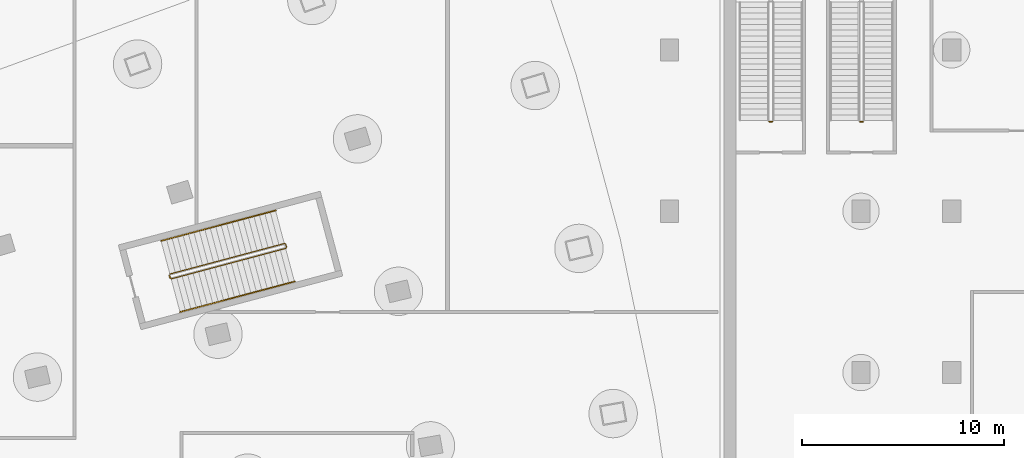
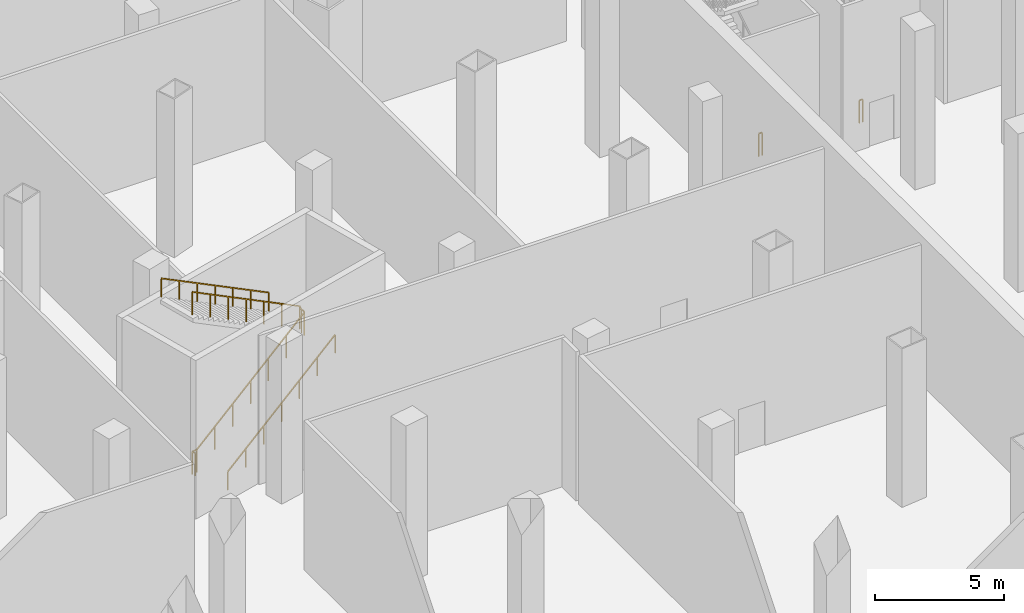
# One storey, part 17 of 19: 5 railings.
"""IFC4 building model written with IfcOpenShell, lengths in metres."""

from ifc_helpers import new_model, si_unit, direction, frame, origin, origin_2d, place, context, subcontext, project, spatial, rectangle, extrude, material, type_object, element, save


model = new_model("IFC4")

# Units and contexts
model_context = context("Model", 3, precision=1e-05, world=origin(), true_north=direction((0.0, 1.0)))
body_context = subcontext(model_context, "Body", "Model", "MODEL_VIEW")
ifc_project = project(units=[si_unit("LENGTHUNIT", "METRE"), si_unit("AREAUNIT", "SQUARE_METRE"), si_unit("VOLUMEUNIT", "CUBIC_METRE"), si_unit("PLANEANGLEUNIT", "RADIAN"), si_unit("MASSUNIT", "GRAM", prefix="KILO")], contexts=[model_context])

# Site, building, storey
site_placement = place(None, origin())
site = spatial("IfcSite", under=ifc_project, at=site_placement, CompositionType="ELEMENT")
building_placement = place(site_placement, origin())
building = spatial("IfcBuilding", under=site, at=building_placement, Name="Alderwake Tower", CompositionType="ELEMENT")
storey_placement = place(building_placement, frame((0.0, 0.0, -14.0)))
storey = spatial("IfcBuildingStorey", under=building, at=storey_placement, Name="B2", CompositionType="ELEMENT", Elevation=-14.0)

# Railings
ifc_material_1 = material(Name="Stainless steel guard", Category="steel")
railing_type_1 = type_object("IfcRailingType", Name="Stair guard 1100", PredefinedType="GUARDRAIL", material=ifc_material_1)
railing_1_placement = place(storey_placement, frame((39.23291015625, 92.6806640625, 0.0)))
element("IfcRailing", 1, at=railing_1_placement, inside=storey, type_object=railing_type_1, Name="B2 ST-A stair guard 1", PredefinedType="GUARDRAIL", context=body_context, shape_type="SweptSolid", body=[
    extrude(rectangle(XDim=0.048095703125, YDim=0.048095703125, at=origin_2d()), frame((0.0, 0.0, 1.076171875), z_axis=(-0.257055032184, 0.966396766566, 0.0), x_axis=(-0.966396766566, -0.257055032184, 0.0)), (0.0, 0.0, 1.0), 0.150146484375),
    extrude(rectangle(XDim=0.048095703125, YDim=0.048095703125, at=origin_2d()), frame((-0.03857421875, 0.14501953125, 1.076171875), z_axis=(0.373269971261, -0.674441341716, 0.637023080538), x_axis=(0.874937996095, 0.484234966715, 0.0)), (0.0, 0.0, 1.0), 0.267578125),
    extrude(rectangle(XDim=0.048095703125, YDim=0.048095703125, at=origin_2d()), frame((0.061279296875, -0.035400390625, 1.24658203125), z_axis=(0.825390405853, 0.219851120435, 0.519996310343), x_axis=(-0.257386123232, 0.966308637842, 0.0)), (0.0, 0.0, 1.0), 6.8837890625),
    extrude(rectangle(XDim=0.048095703125, YDim=0.048095703125, at=origin_2d()), frame((5.7431640625, 1.47802734375, 4.826171875), z_axis=(0.500220121494, 0.865898279276, 0.0), x_axis=(-0.865898279276, 0.500220121494, 0.0)), (0.0, 0.0, 1.0), 0.07080078125),
    extrude(rectangle(XDim=0.048095703125, YDim=0.048095703125, at=origin_2d()), frame((5.778564453125, 1.539306640625, 4.826171875), z_axis=(-0.257055032184, 0.966396766566, 0.0), x_axis=(-0.966396766566, -0.257055032184, 0.0)), (0.0, 0.0, 1.0), 0.150146484375),
    extrude(rectangle(XDim=0.048095703125, YDim=0.048095703125, at=origin_2d()), frame((5.739990234375, 1.684326171875, 4.826171875), z_axis=(-0.33209949684, 0.191850306939, 0.923527684439), x_axis=(-0.500220121494, -0.865898279276, 0.0)), (0.0, 0.0, 1.0), 0.1845703125),
    extrude(rectangle(XDim=0.048095703125, YDim=0.048095703125, at=origin_2d()), frame((5.6787109375, 1.7197265625, 4.99658203125), z_axis=(-0.825390405853, -0.219851120435, 0.519996310343), x_axis=(0.257386123232, -0.966308637842, 0.0)), (0.0, 0.0, 1.0), 6.8837890625),
    extrude(rectangle(XDim=0.0419921875, YDim=0.0419921875, at=origin_2d()), frame((0.0, 0.0, 0.0), z_axis=(0.0, 0.0, 1.0), x_axis=(-0.257055032184, 0.966396766566, 0.0)), (0.0, 0.0, 1.0), 1.052001953125),
    extrude(rectangle(XDim=0.0419921875, YDim=0.0419921875, at=origin_2d()), frame((-0.03857421875, 0.14501953125, 0.0), z_axis=(0.0, 0.0, 1.0), x_axis=(0.484234966715, -0.874937996095, 0.0)), (0.0, 0.0, 1.0), 1.052001953125),
    extrude(rectangle(XDim=0.0419921875, YDim=0.0419921875, at=origin_2d()), frame((0.061279296875, -0.035400390625, 0.17041015625), z_axis=(0.0, 0.0, 1.0), x_axis=(0.966308637842, 0.257386123232, 0.0)), (0.0, 0.0, 1.0), 1.052001953125),
    extrude(rectangle(XDim=0.0419921875, YDim=0.0419921875, at=origin_2d()), frame((1.00830078125, 0.216796875, 0.76708984375), z_axis=(0.0, 0.0, 1.0), x_axis=(0.966308637842, 0.257386123232, 0.0)), (0.0, 0.0, 1.0), 1.052001953125),
    extrude(rectangle(XDim=0.0419921875, YDim=0.0419921875, at=origin_2d()), frame((1.955322265625, 0.468994140625, 1.363525390625), z_axis=(0.0, 0.0, 1.0), x_axis=(0.966308637842, 0.257386123232, 0.0)), (0.0, 0.0, 1.0), 1.052001953125),
    extrude(rectangle(XDim=0.0419921875, YDim=0.0419921875, at=origin_2d()), frame((2.90234375, 0.72119140625, 1.960205078125), z_axis=(0.0, 0.0, 1.0), x_axis=(0.966308637842, 0.257386123232, 0.0)), (0.0, 0.0, 1.0), 1.052001953125),
    extrude(rectangle(XDim=0.0419921875, YDim=0.0419921875, at=origin_2d()), frame((3.84912109375, 0.9736328125, 2.556884765625), z_axis=(0.0, 0.0, 1.0), x_axis=(0.966308637842, 0.257386123232, 0.0)), (0.0, 0.0, 1.0), 1.052001953125),
    extrude(rectangle(XDim=0.0419921875, YDim=0.0419921875, at=origin_2d()), frame((4.796142578125, 1.225830078125, 3.1533203125), z_axis=(0.0, 0.0, 1.0), x_axis=(0.966308637842, 0.257386123232, 0.0)), (0.0, 0.0, 1.0), 1.052001953125),
    extrude(rectangle(XDim=0.0419921875, YDim=0.0419921875, at=origin_2d()), frame((5.7431640625, 1.47802734375, 3.75), z_axis=(0.0, 0.0, 1.0), x_axis=(0.500220121494, 0.865898279276, 0.0)), (0.0, 0.0, 1.0), 1.052001953125),
    extrude(rectangle(XDim=0.0419921875, YDim=0.0419921875, at=origin_2d()), frame((5.778564453125, 1.539306640625, 3.75), z_axis=(0.0, 0.0, 1.0), x_axis=(-0.257055032184, 0.966396766566, 0.0)), (0.0, 0.0, 1.0), 1.052001953125),
    extrude(rectangle(XDim=0.0419921875, YDim=0.0419921875, at=origin_2d()), frame((5.739990234375, 1.684326171875, 3.75), z_axis=(0.0, 0.0, 1.0), x_axis=(-0.865898279276, 0.500220121494, 0.0)), (0.0, 0.0, 1.0), 1.052001953125),
    extrude(rectangle(XDim=0.0419921875, YDim=0.0419921875, at=origin_2d()), frame((5.6787109375, 1.7197265625, 3.92041015625), z_axis=(0.0, 0.0, 1.0), x_axis=(-0.966308637842, -0.257386123232, 0.0)), (0.0, 0.0, 1.0), 1.052001953125),
    extrude(rectangle(XDim=0.0419921875, YDim=0.0419921875, at=origin_2d()), frame((4.731689453125, 1.467529296875, 4.51708984375), z_axis=(0.0, 0.0, 1.0), x_axis=(-0.966308637842, -0.257386123232, 0.0)), (0.0, 0.0, 1.0), 1.052001953125),
    extrude(rectangle(XDim=0.0419921875, YDim=0.0419921875, at=origin_2d()), frame((3.78466796875, 1.21533203125, 5.113525390625), z_axis=(0.0, 0.0, 1.0), x_axis=(-0.966308637842, -0.257386123232, 0.0)), (0.0, 0.0, 1.0), 1.052001953125),
    extrude(rectangle(XDim=0.0419921875, YDim=0.0419921875, at=origin_2d()), frame((2.837890625, 0.962890625, 5.710205078125), z_axis=(0.0, 0.0, 1.0), x_axis=(-0.966308637842, -0.257386123232, 0.0)), (0.0, 0.0, 1.0), 1.052001953125),
    extrude(rectangle(XDim=0.0419921875, YDim=0.0419921875, at=origin_2d()), frame((1.890869140625, 0.710693359375, 6.306884765625), z_axis=(0.0, 0.0, 1.0), x_axis=(-0.966308637842, -0.257386123232, 0.0)), (0.0, 0.0, 1.0), 1.052001953125),
    extrude(rectangle(XDim=0.0419921875, YDim=0.0419921875, at=origin_2d()), frame((0.94384765625, 0.45849609375, 6.9033203125), z_axis=(0.0, 0.0, 1.0), x_axis=(-0.966308637842, -0.257386123232, 0.0)), (0.0, 0.0, 1.0), 1.052001953125),
    extrude(rectangle(XDim=0.0419921875, YDim=0.0419921875, at=origin_2d()), frame((-0.003173828125, 0.206298828125, 7.5), z_axis=(0.0, 0.0, 1.0), x_axis=(-0.966308637842, -0.257386123232, 0.0)), (0.0, 0.0, 1.0), 1.052001953125),
])
for number, where, name in (
    (2, (69.10009765625, 100.449951171875, 0.0), "B2 ST-S3 stair guard 4"),
    (3, (73.60009765625, 100.449951171875, 0.0), "B2 ST-S4 stair guard 4"),
):
    element("IfcRailing", number, at=place(storey_placement, frame(where)), inside=storey, type_object=railing_type_1, Name=name, PredefinedType="GUARDRAIL", context=body_context, shape_type="SweptSolid", body=[
        extrude(rectangle(XDim=0.048095703125, YDim=0.048095703125, at=origin_2d()), frame((0.0, 0.0, 1.076171875), z_axis=(-1.0, 0.0, 0.0), x_axis=(0.0, -1.0, 0.0)), (0.0, 0.0, 1.0), 0.150146484375),
        extrude(rectangle(XDim=0.0419921875, YDim=0.0419921875, at=origin_2d()), frame((0.0, 0.0, 0.0), z_axis=(0.0, 0.0, 1.0), x_axis=(-1.0, 0.0, 0.0)), (0.0, 0.0, 1.0), 1.052001953125),
        extrude(rectangle(XDim=0.0419921875, YDim=0.0419921875, at=origin_2d()), frame((-0.150146484375, 0.0, 0.0), z_axis=(0.0, 0.0, 1.0), x_axis=(-1.0, 0.0, 0.0)), (0.0, 0.0, 1.0), 1.052001953125),
    ])
ifc_material_2 = material(Name="Stainless steel handrail", Category="steel")
railing_type_2 = type_object("IfcRailingType", Name="Stair handrail 900", PredefinedType="HANDRAIL", material=ifc_material_2)
railing_2_placement = place(storey_placement, frame((39.731689453125, 91.002685546875, 0.17041015625)))
element("IfcRailing", 4, at=railing_2_placement, inside=storey, type_object=railing_type_2, Name="B2 ST-A stair handrail 1", PredefinedType="HANDRAIL", context=body_context, shape_type="SweptSolid", body=[
    extrude(rectangle(XDim=0.048095703125, YDim=0.048095703125, at=origin_2d()), frame((0.0, 0.0, 0.8759765625), z_axis=(0.825390405853, 0.219851120435, 0.519996310343), x_axis=(-0.257386123232, 0.966308637842, 0.0)), (0.0, 0.0, 1.0), 6.8837890625),
    extrude(rectangle(XDim=0.0419921875, YDim=0.0419921875, at=origin_2d()), frame((0.0, 0.0, 0.0), z_axis=(0.0, 0.0, 1.0), x_axis=(0.966308637842, 0.257386123232, 0.0)), (0.0, 0.0, 1.0), 0.851806640625),
    extrude(rectangle(XDim=0.0419921875, YDim=0.0419921875, at=origin_2d()), frame((0.947021484375, 0.252197265625, 0.5966796875), z_axis=(0.0, 0.0, 1.0), x_axis=(0.966308637842, 0.257386123232, 0.0)), (0.0, 0.0, 1.0), 0.851806640625),
    extrude(rectangle(XDim=0.0419921875, YDim=0.0419921875, at=origin_2d()), frame((1.89404296875, 0.50439453125, 1.193115234375), z_axis=(0.0, 0.0, 1.0), x_axis=(0.966308637842, 0.257386123232, 0.0)), (0.0, 0.0, 1.0), 0.851806640625),
    extrude(rectangle(XDim=0.0419921875, YDim=0.0419921875, at=origin_2d()), frame((2.8408203125, 0.7568359375, 1.789794921875), z_axis=(0.0, 0.0, 1.0), x_axis=(0.966308637842, 0.257386123232, 0.0)), (0.0, 0.0, 1.0), 0.851806640625),
    extrude(rectangle(XDim=0.0419921875, YDim=0.0419921875, at=origin_2d()), frame((3.787841796875, 1.009033203125, 2.386474609375), z_axis=(0.0, 0.0, 1.0), x_axis=(0.966308637842, 0.257386123232, 0.0)), (0.0, 0.0, 1.0), 0.851806640625),
    extrude(rectangle(XDim=0.0419921875, YDim=0.0419921875, at=origin_2d()), frame((4.73486328125, 1.26123046875, 2.98291015625), z_axis=(0.0, 0.0, 1.0), x_axis=(0.966308637842, 0.257386123232, 0.0)), (0.0, 0.0, 1.0), 0.851806640625),
    extrude(rectangle(XDim=0.0419921875, YDim=0.0419921875, at=origin_2d()), frame((5.681884765625, 1.513427734375, 3.57958984375), z_axis=(0.0, 0.0, 1.0), x_axis=(0.966308637842, 0.257386123232, 0.0)), (0.0, 0.0, 1.0), 0.851806640625),
])
railing_3_placement = place(storey_placement, frame((44.47412109375, 96.04296875, 3.92041015625)))
element("IfcRailing", 5, at=railing_3_placement, inside=storey, type_object=railing_type_2, Name="B2 ST-A stair handrail 2", PredefinedType="HANDRAIL", context=body_context, shape_type="SweptSolid", body=[
    extrude(rectangle(XDim=0.048095703125, YDim=0.048095703125, at=origin_2d()), frame((0.0, 0.0, 0.8759765625), z_axis=(-0.825390405853, -0.219851120435, 0.519996310343), x_axis=(0.257386123232, -0.966308637842, 0.0)), (0.0, 0.0, 1.0), 6.8837890625),
    extrude(rectangle(XDim=0.0419921875, YDim=0.0419921875, at=origin_2d()), frame((0.0, 0.0, 0.0), z_axis=(0.0, 0.0, 1.0), x_axis=(-0.966308637842, -0.257386123232, 0.0)), (0.0, 0.0, 1.0), 0.851806640625),
    extrude(rectangle(XDim=0.0419921875, YDim=0.0419921875, at=origin_2d()), frame((-0.947021484375, -0.252197265625, 0.5966796875), z_axis=(0.0, 0.0, 1.0), x_axis=(-0.966308637842, -0.257386123232, 0.0)), (0.0, 0.0, 1.0), 0.851806640625),
    extrude(rectangle(XDim=0.0419921875, YDim=0.0419921875, at=origin_2d()), frame((-1.89404296875, -0.50439453125, 1.193115234375), z_axis=(0.0, 0.0, 1.0), x_axis=(-0.966308637842, -0.257386123232, 0.0)), (0.0, 0.0, 1.0), 0.851806640625),
    extrude(rectangle(XDim=0.0419921875, YDim=0.0419921875, at=origin_2d()), frame((-2.8408203125, -0.7568359375, 1.789794921875), z_axis=(0.0, 0.0, 1.0), x_axis=(-0.966308637842, -0.257386123232, 0.0)), (0.0, 0.0, 1.0), 0.851806640625),
    extrude(rectangle(XDim=0.0419921875, YDim=0.0419921875, at=origin_2d()), frame((-3.787841796875, -1.009033203125, 2.386474609375), z_axis=(0.0, 0.0, 1.0), x_axis=(-0.966308637842, -0.257386123232, 0.0)), (0.0, 0.0, 1.0), 0.851806640625),
    extrude(rectangle(XDim=0.0419921875, YDim=0.0419921875, at=origin_2d()), frame((-4.73486328125, -1.26123046875, 2.98291015625), z_axis=(0.0, 0.0, 1.0), x_axis=(-0.966308637842, -0.257386123232, 0.0)), (0.0, 0.0, 1.0), 0.851806640625),
    extrude(rectangle(XDim=0.0419921875, YDim=0.0419921875, at=origin_2d()), frame((-5.681884765625, -1.513427734375, 3.57958984375), z_axis=(0.0, 0.0, 1.0), x_axis=(-0.966308637842, -0.257386123232, 0.0)), (0.0, 0.0, 1.0), 0.851806640625),
])

save(model, "model.ifc")
